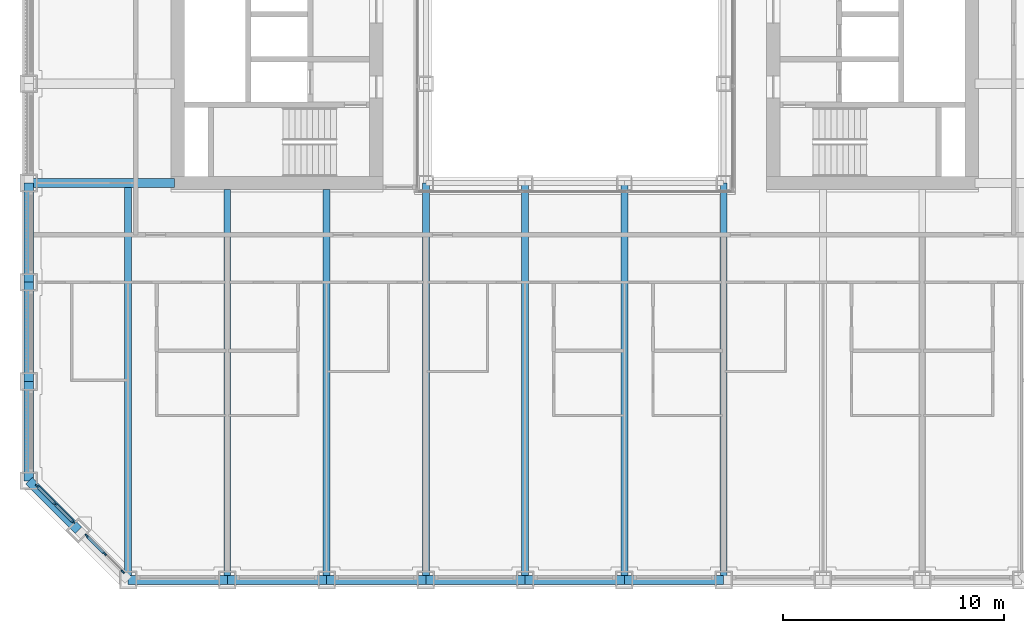
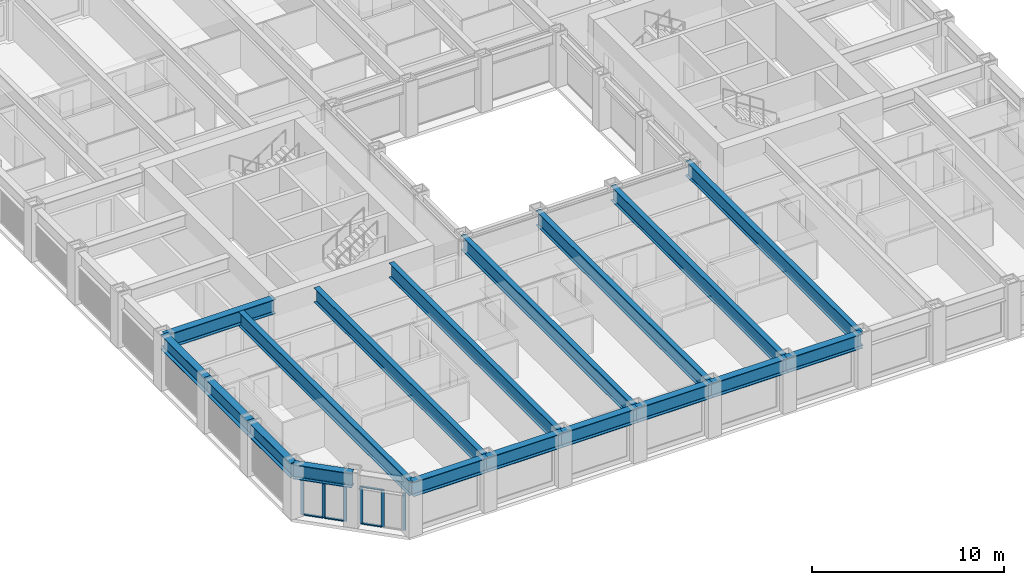
# One storey, part 2 of 21: 18 beams, 12 members, 2 elements without a shape of their own.
"""IFC4 building model written with IfcOpenShell, lengths in metres."""

from ifc_helpers import new_model, si_unit, direction, frame, origin, origin_2d, place, context, subcontext, project, spatial, rectangle, i_section, extrude, material, material_profile, profile_set, type_object, element, aggregate, save


model = new_model("IFC4")

# Units and contexts
model_context = context("Model", 3, precision=1e-05, world=origin(), true_north=direction((0.0, 1.0)))
body_context = subcontext(model_context, "Body", "Model", "MODEL_VIEW")
ifc_project = project(units=[si_unit("LENGTHUNIT", "METRE"), si_unit("AREAUNIT", "SQUARE_METRE"), si_unit("VOLUMEUNIT", "CUBIC_METRE"), si_unit("PLANEANGLEUNIT", "RADIAN"), si_unit("MASSUNIT", "GRAM", prefix="KILO")], contexts=[model_context])

# Site, building, storey
site_placement = place(None, origin())
site = spatial("IfcSite", under=ifc_project, at=site_placement, CompositionType="ELEMENT")
building_placement = place(site_placement, origin())
building = spatial("IfcBuilding", under=site, at=building_placement, Name="Msasa Ring Tower", CompositionType="ELEMENT")
storey_placement = place(building_placement, frame((0.0, 0.0, 51.0)))
storey = spatial("IfcBuildingStorey", under=building, at=storey_placement, Name="L12", CompositionType="ELEMENT", Elevation=51.0)

# Curtain wall, members
ifc_material_1 = material(Name="Aluminium curtain wall with clear glass", Category="aluminium")
curtain_wall_type = type_object("IfcCurtainWallType", Name="CW-C CHAMFER CORNER CURTAIN WALL", PredefinedType="NOTDEFINED", material=ifc_material_1)
curtain_wall_1_placement = place(storey_placement, origin())
curtain_wall_1 = element("IfcCurtainWall", 1, at=curtain_wall_1_placement, inside=storey, type_object=curtain_wall_type, Name="Chamfer corner curtain wall SW L12", PredefinedType="NOTDEFINED")
ifc_material_2 = material(Name="Aluminium mullion", Category="aluminium")
ifc_material_profile_1 = material_profile(ifc_material_2, rectangle(XDim=0.06494140625, YDim=0.179931640625, at=origin_2d()), Name="AL 65x180")
ifc_profile_set_1 = profile_set([ifc_material_profile_1], Name="Aluminium mullion")
member_type_1 = type_object("IfcMemberType", Name="CW-C MULLION 65x180", PredefinedType="MULLION", material=ifc_profile_set_1)
member_1_placement = place(storey_placement, frame((-24.369873046875, -20.48876953125, 0.0), z_axis=(0.0, 0.0, 1.0), x_axis=(0.707106781187, 0.707106781187, 0.0)))
member_1 = element("IfcMember", 2, at=member_1_placement, type_object=member_type_1, Name="CW-C mullion 1", PredefinedType="MULLION", context=body_context, shape_type="SweptSolid", body=[
    extrude(rectangle(XDim=0.06494140625, YDim=0.179931640625, at=origin_2d()), origin(), (0.0, 0.0, 1.0), 2.37890625),
])
member_2_placement = place(storey_placement, frame((-23.55419921875, -21.30419921875, 0.0), z_axis=(0.0, 0.0, 1.0), x_axis=(0.707106781187, 0.707106781187, 0.0)))
member_2 = element("IfcMember", 3, at=member_2_placement, type_object=member_type_1, Name="CW-C mullion 2", PredefinedType="MULLION", context=body_context, shape_type="SweptSolid", body=[
    extrude(rectangle(XDim=0.06494140625, YDim=0.179931640625, at=origin_2d()), origin(), (0.0, 0.0, 1.0), 2.37890625),
])
member_3_placement = place(storey_placement, frame((-22.73876953125, -22.119873046875, 0.0), z_axis=(0.0, 0.0, 1.0), x_axis=(0.707106781187, 0.707106781187, 0.0)))
member_3 = element("IfcMember", 4, at=member_3_placement, type_object=member_type_1, Name="CW-C mullion 3", PredefinedType="MULLION", context=body_context, shape_type="SweptSolid", body=[
    extrude(rectangle(XDim=0.06494140625, YDim=0.179931640625, at=origin_2d()), origin(), (0.0, 0.0, 1.0), 2.37890625),
])

curtain_wall_2_placement = place(storey_placement, origin())
curtain_wall_2 = element("IfcCurtainWall", 5, at=curtain_wall_2_placement, inside=storey, type_object=curtain_wall_type, Name="Chamfer corner curtain wall SW L12", PredefinedType="NOTDEFINED")
member_4_placement = place(storey_placement, frame((-22.119873046875, -22.73876953125, 0.0), z_axis=(0.0, 0.0, 1.0), x_axis=(0.707106781187, 0.707106781187, 0.0)))
member_4 = element("IfcMember", 6, at=member_4_placement, type_object=member_type_1, Name="CW-C mullion 1", PredefinedType="MULLION", context=body_context, shape_type="SweptSolid", body=[
    extrude(rectangle(XDim=0.06494140625, YDim=0.179931640625, at=origin_2d()), origin(), (0.0, 0.0, 1.0), 2.37890625),
])
member_5_placement = place(storey_placement, frame((-21.30419921875, -23.55419921875, 0.0), z_axis=(0.0, 0.0, 1.0), x_axis=(0.707106781187, 0.707106781187, 0.0)))
member_5 = element("IfcMember", 7, at=member_5_placement, type_object=member_type_1, Name="CW-C mullion 2", PredefinedType="MULLION", context=body_context, shape_type="SweptSolid", body=[
    extrude(rectangle(XDim=0.06494140625, YDim=0.179931640625, at=origin_2d()), origin(), (0.0, 0.0, 1.0), 2.37890625),
])
member_6_placement = place(storey_placement, frame((-20.48876953125, -24.369873046875, 0.0), z_axis=(0.0, 0.0, 1.0), x_axis=(0.707106781187, 0.707106781187, 0.0)))
member_6 = element("IfcMember", 8, at=member_6_placement, type_object=member_type_1, Name="CW-C mullion 3", PredefinedType="MULLION", context=body_context, shape_type="SweptSolid", body=[
    extrude(rectangle(XDim=0.06494140625, YDim=0.179931640625, at=origin_2d()), origin(), (0.0, 0.0, 1.0), 2.37890625),
])

# Member
ifc_material_3 = material(Name="Aluminium transom", Category="aluminium")
ifc_material_profile_2 = material_profile(ifc_material_3, rectangle(XDim=0.139892578125, YDim=0.06494140625, at=origin_2d()), Name="AL 65x140")
ifc_profile_set_2 = profile_set([ifc_material_profile_2], Name="Aluminium transom")
member_type_2 = type_object("IfcMemberType", Name="CW-C TRANSOM 65x140", PredefinedType="USERDEFINED", material=ifc_profile_set_2)
member_7_placement = place(storey_placement, frame((-24.346923828125, -20.51171875, 0.032470703125), z_axis=(0.707106781187, -0.707106781187, 0.0), x_axis=(0.707106781187, 0.707106781187, 0.0)))
member_7 = element("IfcMember", 9, at=member_7_placement, type_object=member_type_2, Name="CW-C transom 1.1", ObjectType="TRANSOM", PredefinedType="USERDEFINED", context=body_context, shape_type="SweptSolid", body=[
    extrude(rectangle(XDim=0.139892578125, YDim=0.06494140625, at=origin_2d()), origin(), (0.0, 0.0, 1.0), 1.08837890625),
])

member_8_placement = place(storey_placement, frame((-24.346923828125, -20.51171875, 2.346435546875), z_axis=(0.707106781187, -0.707106781187, 0.0), x_axis=(0.707106781187, 0.707106781187, 0.0)))
member_8 = element("IfcMember", 10, at=member_8_placement, type_object=member_type_2, Name="CW-C transom 1.2", ObjectType="TRANSOM", PredefinedType="USERDEFINED", context=body_context, shape_type="SweptSolid", body=[
    extrude(rectangle(XDim=0.139892578125, YDim=0.06494140625, at=origin_2d()), origin(), (0.0, 0.0, 1.0), 1.08837890625),
])

member_9_placement = place(storey_placement, frame((-23.53125, -21.327392578125, 0.032470703125), z_axis=(0.707106781187, -0.707106781187, 0.0), x_axis=(0.707106781187, 0.707106781187, 0.0)))
member_9 = element("IfcMember", 11, at=member_9_placement, type_object=member_type_2, Name="CW-C transom 2.1", ObjectType="TRANSOM", PredefinedType="USERDEFINED", context=body_context, shape_type="SweptSolid", body=[
    extrude(rectangle(XDim=0.139892578125, YDim=0.06494140625, at=origin_2d()), origin(), (0.0, 0.0, 1.0), 1.08837890625),
])

member_10_placement = place(storey_placement, frame((-23.53125, -21.327392578125, 2.346435546875), z_axis=(0.707106781187, -0.707106781187, 0.0), x_axis=(0.707106781187, 0.707106781187, 0.0)))
member_10 = element("IfcMember", 12, at=member_10_placement, type_object=member_type_2, Name="CW-C transom 2.2", ObjectType="TRANSOM", PredefinedType="USERDEFINED", context=body_context, shape_type="SweptSolid", body=[
    extrude(rectangle(XDim=0.139892578125, YDim=0.06494140625, at=origin_2d()), origin(), (0.0, 0.0, 1.0), 1.08837890625),
])

aggregate(curtain_wall_1, [member_1, member_2, member_3, member_7, member_8, member_9, member_10])

member_11_placement = place(storey_placement, frame((-22.096923828125, -22.76171875, 0.032470703125), z_axis=(0.707106781187, -0.707106781187, 0.0), x_axis=(0.707106781187, 0.707106781187, 0.0)))
member_11 = element("IfcMember", 13, at=member_11_placement, type_object=member_type_2, Name="CW-C transom 1.1", ObjectType="TRANSOM", PredefinedType="USERDEFINED", context=body_context, shape_type="SweptSolid", body=[
    extrude(rectangle(XDim=0.139892578125, YDim=0.06494140625, at=origin_2d()), origin(), (0.0, 0.0, 1.0), 1.08837890625),
])

member_12_placement = place(storey_placement, frame((-22.096923828125, -22.76171875, 2.346435546875), z_axis=(0.707106781187, -0.707106781187, 0.0), x_axis=(0.707106781187, 0.707106781187, 0.0)))
member_12 = element("IfcMember", 14, at=member_12_placement, type_object=member_type_2, Name="CW-C transom 1.2", ObjectType="TRANSOM", PredefinedType="USERDEFINED", context=body_context, shape_type="SweptSolid", body=[
    extrude(rectangle(XDim=0.139892578125, YDim=0.06494140625, at=origin_2d()), origin(), (0.0, 0.0, 1.0), 1.08837890625),
])

aggregate(curtain_wall_2, [member_4, member_5, member_6, member_11, member_12])

# Beams
ifc_material_4 = material(Name="Steel S355", Category="steel")
ifc_material_profile_3 = material_profile(ifc_material_4, i_section(OverallWidth=0.3076171875, OverallDepth=0.926513671875, WebThickness=0.01953125, FlangeThickness=0.031982421875, FilletRadius=0.01904296875, at=origin_2d()), Name="UB 914x305x289")
ifc_profile_set_3 = profile_set([ifc_material_profile_3], Name="Steel S355")
beam_type_1 = type_object("IfcBeamType", Name="FB3 UB 914x305x289", PredefinedType="BEAM", material=ifc_profile_set_3)
beam_1_placement = place(storey_placement, frame((-20.25, -24.75, 2.836669921875), z_axis=(0.0, 1.0, 0.0), x_axis=(-1.0, 0.0, 0.0)))
element("IfcBeam", 15, at=beam_1_placement, inside=storey, type_object=beam_type_1, Name="Floor beam S-20.25 under L13", PredefinedType="BEAM", context=body_context, shape_type="SweptSolid", body=[
    extrude(i_section(OverallWidth=0.3076171875, OverallDepth=0.926513671875, WebThickness=0.01953125, FlangeThickness=0.031982421875, FilletRadius=0.01904296875, at=origin_2d()), origin(), (0.0, 0.0, 1.0), 17.789794921875),
])
for number, where, z_axis, x_axis, name in (
    (16, (-15.75, -24.75, 2.836669921875), (0.0, 1.0, 0.0), (-1.0, 0.0, 0.0), "Floor beam S-15.75 under L13"),
    (17, (-11.25, -24.75, 2.836669921875), (0.0, 1.0, 0.0), (-1.0, 0.0, 0.0), "Floor beam S-11.25 under L13"),
):
    element("IfcBeam", number, at=place(storey_placement, frame(where, z_axis=z_axis, x_axis=x_axis)), inside=storey, type_object=beam_type_1, Name=name, PredefinedType="BEAM", context=body_context, shape_type="SweptSolid", body=[
        extrude(i_section(OverallWidth=0.3076171875, OverallDepth=0.926513671875, WebThickness=0.01953125, FlangeThickness=0.031982421875, FilletRadius=0.01904296875, at=origin_2d()), origin(), (0.0, 0.0, 1.0), 17.699951171875),
    ])
for number, where, z_axis, x_axis, name in (
    (18, (-6.75, -24.75, 2.836669921875), (0.0, 1.0, 0.0), (-1.0, 0.0, 0.0), "Floor beam S-6.75 under L13"),
    (19, (-2.25, -24.75, 2.836669921875), (0.0, 1.0, 0.0), (-1.0, 0.0, 0.0), "Floor beam S-2.25 under L13"),
    (20, (2.25, -24.75, 2.836669921875), (0.0, 1.0, 0.0), (-1.0, 0.0, 0.0), "Floor beam S+2.25 under L13"),
    (21, (6.75, -24.75, 2.836669921875), (0.0, 1.0, 0.0), (-1.0, 0.0, 0.0), "Floor beam S+6.75 under L13"),
):
    element("IfcBeam", number, at=place(storey_placement, frame(where, z_axis=z_axis, x_axis=x_axis)), inside=storey, type_object=beam_type_1, Name=name, PredefinedType="BEAM", context=body_context, shape_type="SweptSolid", body=[
        extrude(i_section(OverallWidth=0.3076171875, OverallDepth=0.926513671875, WebThickness=0.01953125, FlangeThickness=0.031982421875, FilletRadius=0.01904296875, at=origin_2d()), origin(), (0.0, 0.0, 1.0), 18.0),
    ])
ifc_material_5 = material(Name="Steel S355", Category="steel")
ifc_material_profile_4 = material_profile(ifc_material_5, i_section(OverallWidth=0.42041015625, OverallDepth=0.9208984375, WebThickness=0.021484375, FlangeThickness=0.03662109375, FilletRadius=0.024169921875, at=origin_2d()), Name="UB 914x419x388")
ifc_profile_set_4 = profile_set([ifc_material_profile_4], Name="Steel S355")
beam_type_2 = type_object("IfcBeamType", Name="GB1 UB 914x419x388", PredefinedType="BEAM", material=ifc_profile_set_4)
beam_2_placement = place(storey_placement, frame((-18.14990234375, -6.75, 2.839599609375), z_axis=(-1.0, 0.0, 0.0), x_axis=(0.0, -1.0, 0.0)))
element("IfcBeam", 22, at=beam_2_placement, inside=storey, type_object=beam_type_2, Name="Girder W -6.75 under L13", PredefinedType="BEAM", context=body_context, shape_type="SweptSolid", body=[
    extrude(i_section(OverallWidth=0.42041015625, OverallDepth=0.9208984375, WebThickness=0.021484375, FlangeThickness=0.03662109375, FilletRadius=0.024169921875, at=origin_2d()), origin(), (0.0, 0.0, 1.0), 6.60009765625),
])
ifc_material_6 = material(Name="Steel S355", Category="steel")
ifc_material_profile_5 = material_profile(ifc_material_6, i_section(OverallWidth=0.42041015625, OverallDepth=0.9208984375, WebThickness=0.021484375, FlangeThickness=0.03662109375, FilletRadius=0.024169921875, at=origin_2d()), Name="UB 914x419x388")
ifc_profile_set_5 = profile_set([ifc_material_profile_5], Name="Steel S355")
beam_type_3 = type_object("IfcBeamType", Name="SB1 UB 914x419x388", PredefinedType="SPANDREL", material=ifc_profile_set_5)
for number, where, z_axis, x_axis, name in (
    (23, (-24.75, -6.75, 2.839599609375), (0.0, -1.0, 0.0), (1.0, 0.0, 0.0), "Spandrel W-6.75 to W-11.25 under L13"),
    (24, (-24.75, -11.25, 2.839599609375), (0.0, -1.0, 0.0), (1.0, 0.0, 0.0), "Spandrel W-11.25 to W-15.75 under L13"),
    (25, (-24.75, -15.75, 2.839599609375), (0.0, -1.0, 0.0), (1.0, 0.0, 0.0), "Spandrel W-15.75 to W-20.25 under L13"),
):
    element("IfcBeam", number, at=place(storey_placement, frame(where, z_axis=z_axis, x_axis=x_axis)), inside=storey, type_object=beam_type_3, Name=name, PredefinedType="SPANDREL", context=body_context, shape_type="SweptSolid", body=[
        extrude(i_section(OverallWidth=0.42041015625, OverallDepth=0.9208984375, WebThickness=0.021484375, FlangeThickness=0.03662109375, FilletRadius=0.024169921875, at=origin_2d()), origin(), (0.0, 0.0, 1.0), 4.5),
    ])
beam_3_placement = place(storey_placement, frame((-24.75, -20.25, 2.839599609375), z_axis=(0.707106781187, -0.707106781187, 0.0), x_axis=(0.707106781187, 0.707106781187, 0.0)))
element("IfcBeam", 26, at=beam_3_placement, inside=storey, type_object=beam_type_3, Name="Spandrel W-20.25 to SW under L13", PredefinedType="SPANDREL", context=body_context, shape_type="SweptSolid", body=[
    extrude(i_section(OverallWidth=0.42041015625, OverallDepth=0.9208984375, WebThickness=0.021484375, FlangeThickness=0.03662109375, FilletRadius=0.024169921875, at=origin_2d()), origin(), (0.0, 0.0, 1.0), 3.181884765625),
])
for number, where, z_axis, x_axis, name in (
    (27, (-20.25, -24.75, 2.839599609375), (1.0, 0.0, 0.0), (0.0, 1.0, 0.0), "Spandrel S-20.25 to S-15.75 under L13"),
    (28, (-15.75, -24.75, 2.839599609375), (1.0, 0.0, 0.0), (0.0, 1.0, 0.0), "Spandrel S-15.75 to S-11.25 under L13"),
    (29, (-11.25, -24.75, 2.839599609375), (1.0, 0.0, 0.0), (0.0, 1.0, 0.0), "Spandrel S-11.25 to S-6.75 under L13"),
    (30, (-6.75, -24.75, 2.839599609375), (1.0, 0.0, 0.0), (0.0, 1.0, 0.0), "Spandrel S-6.75 to S-2.25 under L13"),
    (31, (-2.25, -24.75, 2.839599609375), (1.0, 0.0, 0.0), (0.0, 1.0, 0.0), "Spandrel S-2.25 to S+2.25 under L13"),
    (32, (2.25, -24.75, 2.839599609375), (1.0, 0.0, 0.0), (0.0, 1.0, 0.0), "Spandrel S+2.25 to S+6.75 under L13"),
):
    element("IfcBeam", number, at=place(storey_placement, frame(where, z_axis=z_axis, x_axis=x_axis)), inside=storey, type_object=beam_type_3, Name=name, PredefinedType="SPANDREL", context=body_context, shape_type="SweptSolid", body=[
        extrude(i_section(OverallWidth=0.42041015625, OverallDepth=0.9208984375, WebThickness=0.021484375, FlangeThickness=0.03662109375, FilletRadius=0.024169921875, at=origin_2d()), origin(), (0.0, 0.0, 1.0), 4.5),
    ])

save(model, "model.ifc")
